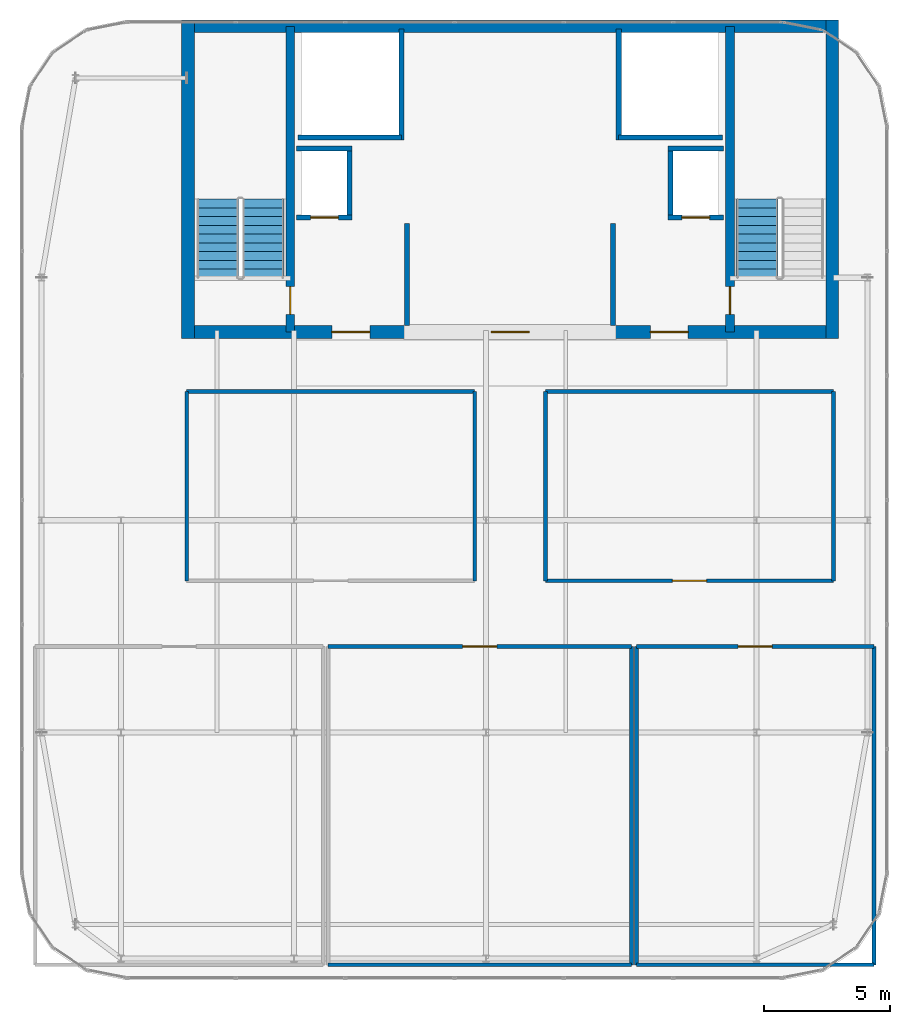
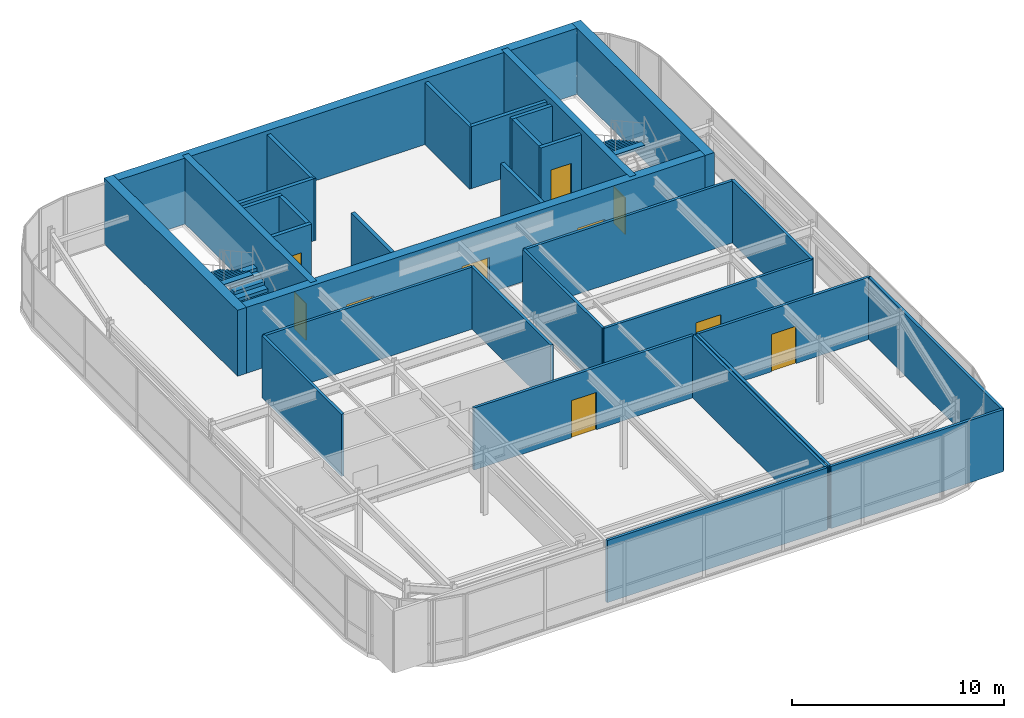
# One storey, part 34 of 36: 32 walls, 10 doors, 3 stair flights, 10 openings, 2 elements without a shape of their own.
"""IFC4 building model written with IfcOpenShell, lengths in metres."""

from ifc_helpers import new_model, si_unit, direction, frame, frame_2d, origin, place, context, subcontext, project, spatial, polyline, rectangle, outline, extrude, source, transform, mapped, material, layer, layer_set, type_object, type_shapes, element, fill, aggregate, save


model = new_model("IFC4")

# Units and contexts
model_context = context("Model", 3, precision=1e-05, world=origin(), true_north=direction((0.0, 1.0)))
body_context = subcontext(model_context, "Body", "Model", "MODEL_VIEW")
ifc_project = project(units=[si_unit("LENGTHUNIT", "METRE"), si_unit("AREAUNIT", "SQUARE_METRE"), si_unit("VOLUMEUNIT", "CUBIC_METRE"), si_unit("PLANEANGLEUNIT", "RADIAN"), si_unit("MASSUNIT", "GRAM", prefix="KILO")], contexts=[model_context])

# Site, building, storey
site_placement = place(None, origin())
site = spatial("IfcSite", under=ifc_project, at=site_placement, CompositionType="ELEMENT")
building_placement = place(site_placement, origin())
building = spatial("IfcBuilding", under=site, at=building_placement, Name="Tolvann Quenvar Hotel", CompositionType="ELEMENT")
storey_placement = place(building_placement, frame((0.0, 0.0, 302.35009765625)))
storey = spatial("IfcBuildingStorey", under=building, at=storey_placement, Name="L80", CompositionType="ELEMENT", Elevation=302.35009765625)

# Wall, openings, doors
ifc_material_1 = material(Name="Concrete N50 (50 MPa)", Category="concrete")
ifc_layer_1 = layer(ifc_material_1, 0.5)
ifc_layer_set_1 = layer_set([ifc_layer_1], Name="Concrete N50 (50 MPa)")
wall_type_1 = type_object("IfcWallType", Name="WALL_CORE_500", PredefinedType="SHEAR", material=ifc_layer_set_1)
wall_1_placement = place(storey_placement, frame((10.0, 31.85009765625, 0.0), z_axis=(0.0, 0.0, 1.0), x_axis=(1.0, 0.0, 0.0)))
wall_1 = element("IfcWall", 1, at=wall_1_placement, inside=storey, type_object=wall_type_1, Name="Rear Core S Shear Wall (L80)", PredefinedType="SHEAR", context=body_context, shape_type="SweptSolid", body=[
    extrude(rectangle(XDim=26.0, YDim=0.5, at=frame_2d((13.0, 0.0))), origin(), (0.0, 0.0, 1.0), 3.7998046875),
])
opening_1_placement = place(wall_1_placement, frame((7.449951171875, 0.0, 0.0), z_axis=(0.0, 0.0, 1.0), x_axis=(-1.0, 0.0, 0.0)))
opening_1 = element("IfcOpeningElement", 2, at=opening_1_placement, cuts=wall_1, Name="Opening FD-60D", PredefinedType="OPENING", context=body_context, shape_type="SweptSolid", body=[
    extrude(rectangle(XDim=1.5, YDim=2.0400390625, at=frame_2d((0.75, 1.02001953125))), frame((0.0, 0.260009765625, 0.0), z_axis=(0.0, -1.0, 0.0), x_axis=(1.0, 0.0, 0.0)), (0.0, 0.0, 1.0), 0.52001953125),
])
opening_2_placement = place(wall_1_placement, frame((13.75, 0.0, 0.0), z_axis=(0.0, 0.0, 1.0), x_axis=(-1.0, 0.0, 0.0)))
opening_2 = element("IfcOpeningElement", 3, at=opening_2_placement, cuts=wall_1, Name="Opening FD-60D", PredefinedType="OPENING", context=body_context, shape_type="SweptSolid", body=[
    extrude(rectangle(XDim=1.5, YDim=2.0400390625, at=frame_2d((0.75, 1.02001953125))), frame((0.0, 0.260009765625, 0.0), z_axis=(0.0, -1.0, 0.0), x_axis=(1.0, 0.0, 0.0)), (0.0, 0.0, 1.0), 0.52001953125),
])
opening_3_placement = place(wall_1_placement, frame((20.050048828125, 0.0, 0.0), z_axis=(0.0, 0.0, 1.0), x_axis=(-1.0, 0.0, 0.0)))
opening_3 = element("IfcOpeningElement", 4, at=opening_3_placement, cuts=wall_1, Name="Opening FD-60D", PredefinedType="OPENING", context=body_context, shape_type="SweptSolid", body=[
    extrude(rectangle(XDim=1.5, YDim=2.0400390625, at=frame_2d((0.75, 1.02001953125))), frame((0.0, 0.260009765625, 0.0), z_axis=(0.0, -1.0, 0.0), x_axis=(1.0, 0.0, 0.0)), (0.0, 0.0, 1.0), 0.52001953125),
])
ifc_material_2 = material(Name="Solid-core American oak acoustic fire door leaf in steel frame", Category="steel")
door_type_1 = type_object("IfcDoorType", Name="DOOR_FIRE_LOBBY_1500", OperationType="NOTDEFINED", PredefinedType="DOOR", material=ifc_material_2)
shared_shape_1 = source(origin(), body_context, "Body", "SweptSolid", [
    extrude(rectangle(XDim=1.5, YDim=2.0400390625, at=frame_2d((0.75, 1.02001953125))), frame((0.0, 0.02490234375, 0.0), z_axis=(0.0, -1.0, 0.0), x_axis=(1.0, 0.0, 0.0)), (0.0, 0.0, 1.0), 0.050048828125),
])
type_shapes(door_type_1, [shared_shape_1])
door_1_placement = place(opening_1_placement, origin())
door_1 = element("IfcDoor", 5, at=door_1_placement, inside=storey, type_object=door_type_1, Name="Core Lobby Fire Door FFW (L80)", OperationType="DOUBLE_DOOR_SINGLE_SWING", OverallHeight=2.0400390625, OverallWidth=1.5, PredefinedType="DOOR", context=body_context, shape_type="MappedRepresentation", body=[
    mapped(shared_shape_1, transform((0.0, 0.0, 0.0), x_axis=(1.0, 0.0, 0.0), y_axis=(0.0, 1.0, 0.0), z_axis=(0.0, 0.0, 1.0), scale=1.0)),
])
fill(opening_1, door_1)
door_2_placement = place(opening_2_placement, origin())
door_2 = element("IfcDoor", 6, at=door_2_placement, inside=storey, type_object=door_type_1, Name="Core Lobby Fire Door CLOB (L80)", OperationType="DOUBLE_DOOR_SINGLE_SWING", OverallHeight=2.0400390625, OverallWidth=1.5, PredefinedType="DOOR", context=body_context, shape_type="MappedRepresentation", body=[
    mapped(shared_shape_1, transform((0.0, 0.0, 0.0), x_axis=(1.0, 0.0, 0.0), y_axis=(0.0, 1.0, 0.0), z_axis=(0.0, 0.0, 1.0), scale=1.0)),
])
fill(opening_2, door_2)
door_3_placement = place(opening_3_placement, origin())
door_3 = element("IfcDoor", 7, at=door_3_placement, inside=storey, type_object=door_type_1, Name="Core Lobby Fire Door FFE (L80)", OperationType="DOUBLE_DOOR_SINGLE_SWING", OverallHeight=2.0400390625, OverallWidth=1.5, PredefinedType="DOOR", context=body_context, shape_type="MappedRepresentation", body=[
    mapped(shared_shape_1, transform((0.0, 0.0, 0.0), x_axis=(1.0, 0.0, 0.0), y_axis=(0.0, 1.0, 0.0), z_axis=(0.0, 0.0, 1.0), scale=1.0)),
])
fill(opening_3, door_3)

# Walls
wall_2_placement = place(storey_placement, frame((10.0, 43.949951171875, 0.0), z_axis=(0.0, 0.0, 1.0), x_axis=(1.0, 0.0, 0.0)))
element("IfcWall", 8, at=wall_2_placement, inside=storey, type_object=wall_type_1, Name="Rear Core N Shear Wall (L80)", PredefinedType="SHEAR", context=body_context, shape_type="SweptSolid", body=[
    extrude(rectangle(XDim=26.0, YDim=0.5, at=frame_2d((13.0, 0.0))), origin(), (0.0, 0.0, 1.0), 3.7998046875),
])
for number, where, z_axis, x_axis, name in (
    (9, (10.25, 31.60009765625, 0.0), (0.0, 0.0, 1.0), (0.0, 1.0, 0.0), "Rear Core W Shear Wall (L80)"),
    (10, (35.75, 31.60009765625, 0.0), (0.0, 0.0, 1.0), (0.0, 1.0, 0.0), "Rear Core E Shear Wall (L80)"),
):
    element("IfcWall", number, at=place(storey_placement, frame(where, z_axis=z_axis, x_axis=x_axis)), inside=storey, type_object=wall_type_1, Name=name, PredefinedType="SHEAR", context=body_context, shape_type="SweptSolid", body=[
        extrude(rectangle(XDim=12.599853515625, YDim=0.5, at=frame_2d((6.2998046875, 0.0))), origin(), (0.0, 0.0, 1.0), 3.7998046875),
    ])

# Wall, opening, door
ifc_material_3 = material(Name="Concrete S65 (65 MPa)", Category="concrete")
ifc_layer_2 = layer(ifc_material_3, 0.35009765625)
ifc_layer_set_2 = layer_set([ifc_layer_2], Name="Concrete S65 (65 MPa)")
wall_type_2 = type_object("IfcWallType", Name="WALL_CORE_INT_350", PredefinedType="SHEAR", material=ifc_layer_set_2)
wall_3_placement = place(storey_placement, frame((14.300048828125, 31.85009765625, 0.0), z_axis=(0.0, 0.0, 1.0), x_axis=(0.0, 1.0, 0.0)))
wall_3 = element("IfcWall", 11, at=wall_3_placement, inside=storey, type_object=wall_type_2, Name="Core Internal Web Shear Wall WEB-W (L80)", PredefinedType="SHEAR", context=body_context, shape_type="SweptSolid", body=[
    extrude(rectangle(XDim=12.099853515625, YDim=0.35009765625, at=frame_2d((6.0498046875, 0.0))), origin(), (0.0, 0.0, 1.0), 3.7998046875),
])
opening_4_placement = place(wall_3_placement, frame((0.699951171875, 0.0, 0.0)))
opening_4 = element("IfcOpeningElement", 12, at=opening_4_placement, cuts=wall_3, Name="Opening FD-120", PredefinedType="OPENING", context=body_context, shape_type="SweptSolid", body=[
    extrude(rectangle(XDim=1.10009765625, YDim=2.1201171875, at=frame_2d((0.550048828125, 1.06005859375))), frame((0.0, 0.18505859375, 0.0), z_axis=(0.0, -1.0, 0.0), x_axis=(1.0, 0.0, 0.0)), (0.0, 0.0, 1.0), 0.3701171875),
])
ifc_material_4 = material(Name="Pressed galvanised steel fire-rated door set", Category="steel")
door_type_2 = type_object("IfcDoorType", Name="DOOR_FIRE_STAIR_1100", OperationType="NOTDEFINED", PredefinedType="DOOR", material=ifc_material_4)
shared_shape_2 = source(origin(), body_context, "Body", "SweptSolid", [
    extrude(rectangle(XDim=1.10009765625, YDim=2.1201171875, at=frame_2d((0.550048828125, 1.06005859375))), frame((0.0, 0.02490234375, 0.0), z_axis=(0.0, -1.0, 0.0), x_axis=(1.0, 0.0, 0.0)), (0.0, 0.0, 1.0), 0.050048828125),
])
type_shapes(door_type_2, [shared_shape_2])
door_4_placement = place(opening_4_placement, origin())
door_4 = element("IfcDoor", 13, at=door_4_placement, inside=storey, type_object=door_type_2, Name="Exit Stair ST-C1 Fire Door (L80)", OperationType="SINGLE_SWING_LEFT", OverallHeight=2.1201171875, OverallWidth=1.10009765625, PredefinedType="DOOR", context=body_context, shape_type="MappedRepresentation", body=[
    mapped(shared_shape_2, transform((0.0, 0.0, 0.0), x_axis=(1.0, 0.0, 0.0), y_axis=(0.0, 1.0, 0.0), z_axis=(0.0, 0.0, 1.0), scale=1.0)),
])
fill(opening_4, door_4)

wall_4_placement = place(storey_placement, frame((31.699951171875, 31.85009765625, 0.0), z_axis=(0.0, 0.0, 1.0), x_axis=(0.0, 1.0, 0.0)))
wall_4 = element("IfcWall", 14, at=wall_4_placement, inside=storey, type_object=wall_type_2, Name="Core Internal Web Shear Wall WEB-E (L80)", PredefinedType="SHEAR", context=body_context, shape_type="SweptSolid", body=[
    extrude(rectangle(XDim=12.099853515625, YDim=0.35009765625, at=frame_2d((6.0498046875, 0.0))), origin(), (0.0, 0.0, 1.0), 3.7998046875),
])
opening_5_placement = place(wall_4_placement, frame((1.800048828125, 0.0, 0.0), z_axis=(0.0, 0.0, 1.0), x_axis=(-1.0, 0.0, 0.0)))
opening_5 = element("IfcOpeningElement", 15, at=opening_5_placement, cuts=wall_4, Name="Opening FD-120", PredefinedType="OPENING", context=body_context, shape_type="SweptSolid", body=[
    extrude(rectangle(XDim=1.10009765625, YDim=2.1201171875, at=frame_2d((0.550048828125, 1.06005859375))), frame((0.0, 0.18505859375, 0.0), z_axis=(0.0, -1.0, 0.0), x_axis=(1.0, 0.0, 0.0)), (0.0, 0.0, 1.0), 0.3701171875),
])
door_5_placement = place(opening_5_placement, origin())
door_5 = element("IfcDoor", 16, at=door_5_placement, inside=storey, type_object=door_type_2, Name="Exit Stair ST-C2 Fire Door (L80)", OperationType="SINGLE_SWING_RIGHT", OverallHeight=2.1201171875, OverallWidth=1.10009765625, PredefinedType="DOOR", context=body_context, shape_type="MappedRepresentation", body=[
    mapped(shared_shape_2, transform((0.0, 0.0, 0.0), x_axis=(1.0, 0.0, 0.0), y_axis=(0.0, 1.0, 0.0), z_axis=(0.0, 0.0, 1.0), scale=1.0)),
])
fill(opening_5, door_5)

# Wall
ifc_material_5 = material(Name="Acoustic twin-stud fire-rated gypsum plasterboard partition")
ifc_layer_3 = layer(ifc_material_5, 0.14990234375)
ifc_layer_set_3 = layer_set([ifc_layer_3], Name="Acoustic twin-stud fire-rated gypsum plasterboard partition")
wall_type_3 = type_object("IfcWallType", Name="WALL_PART_SUITE_150", PredefinedType="PARTITIONING", material=ifc_layer_set_3)
wall_5_placement = place(storey_placement, frame((15.800048828125, 6.800048828125, 0.0), z_axis=(0.0, 0.0, 1.0), x_axis=(1.0, 0.0, 0.0)))
element("IfcWall", 17, at=wall_5_placement, inside=storey, type_object=wall_type_3, Name="Interior Partition PT-SPC-L80-HRC-S", PredefinedType="PARTITIONING", context=body_context, shape_type="SweptSolid", body=[
    extrude(rectangle(XDim=12.0, YDim=0.14990234375, at=frame_2d((6.0, 0.0))), origin(), (0.0, 0.0, 1.0), 3.579833984375),
])

# Wall, opening, door
wall_6_placement = place(storey_placement, frame((15.800048828125, 19.39990234375, 0.0), z_axis=(0.0, 0.0, 1.0), x_axis=(1.0, 0.0, 0.0)))
wall_6 = element("IfcWall", 18, at=wall_6_placement, inside=storey, type_object=wall_type_3, Name="Interior Partition PT-SPC-L80-HRC-N", PredefinedType="PARTITIONING", context=body_context, shape_type="SweptSolid", body=[
    extrude(rectangle(XDim=12.0, YDim=0.14990234375, at=frame_2d((6.0, 0.0))), origin(), (0.0, 0.0, 1.0), 3.579833984375),
])
opening_6_placement = place(wall_6_placement, frame((5.324951171875, 0.0, 0.0)))
opening_6 = element("IfcOpeningElement", 19, at=opening_6_placement, cuts=wall_6, Name="Opening PD-01", PredefinedType="OPENING", context=body_context, shape_type="SweptSolid", body=[
    extrude(rectangle(XDim=1.35009765625, YDim=2.14990234375, at=frame_2d((0.675048828125, 1.074951171875))), frame((0.0, 0.0849609375, 0.0), z_axis=(0.0, -1.0, 0.0), x_axis=(1.0, 0.0, 0.0)), (0.0, 0.0, 1.0), 0.169921875),
])
door_type_3 = type_object("IfcDoorType", Name="DOOR_PLANT_1350", OperationType="NOTDEFINED", PredefinedType="DOOR", material=ifc_material_4)
shared_shape_3 = source(origin(), body_context, "Body", "SweptSolid", [
    extrude(rectangle(XDim=1.35009765625, YDim=2.14990234375, at=frame_2d((0.675048828125, 1.074951171875))), frame((0.0, 0.02490234375, 0.0), z_axis=(0.0, -1.0, 0.0), x_axis=(1.0, 0.0, 0.0)), (0.0, 0.0, 1.0), 0.050048828125),
])
type_shapes(door_type_3, [shared_shape_3])
door_6_placement = place(opening_6_placement, origin())
door_6 = element("IfcDoor", 20, at=door_6_placement, inside=storey, type_object=door_type_3, Name="Interior Door DOOR-SPC-L80-HRC", OperationType="DOUBLE_DOOR_SINGLE_SWING", OverallHeight=2.14990234375, OverallWidth=1.35009765625, PredefinedType="DOOR", context=body_context, shape_type="MappedRepresentation", body=[
    mapped(shared_shape_3, transform((0.0, 0.0, 0.0), x_axis=(1.0, 0.0, 0.0), y_axis=(0.0, 1.0, 0.0), z_axis=(0.0, 0.0, 1.0), scale=1.0)),
])
fill(opening_6, door_6)

# Walls
wall_7_placement = place(storey_placement, frame((27.800048828125, 6.800048828125, 0.0), z_axis=(0.0, 0.0, 1.0), x_axis=(0.0, 1.0, 0.0)))
element("IfcWall", 21, at=wall_7_placement, inside=storey, type_object=wall_type_3, Name="Interior Partition PT-SPC-L80-HRC-E", PredefinedType="PARTITIONING", context=body_context, shape_type="SweptSolid", body=[
    extrude(rectangle(XDim=12.599853515625, YDim=0.14990234375, at=frame_2d((6.2998046875, 0.0))), origin(), (0.0, 0.0, 1.0), 3.579833984375),
])
wall_8_placement = place(storey_placement, frame((28.0, 6.800048828125, 0.0), z_axis=(0.0, 0.0, 1.0), x_axis=(1.0, 0.0, 0.0)))
element("IfcWall", 22, at=wall_8_placement, inside=storey, type_object=wall_type_3, Name="Interior Partition PT-SPC-L80-PMP-S", PredefinedType="PARTITIONING", context=body_context, shape_type="SweptSolid", body=[
    extrude(rectangle(XDim=9.39990234375, YDim=0.14990234375, at=frame_2d((4.699951171875, 0.0))), origin(), (0.0, 0.0, 1.0), 3.579833984375),
])

# Wall, opening, door
wall_9_placement = place(storey_placement, frame((28.0, 19.39990234375, 0.0), z_axis=(0.0, 0.0, 1.0), x_axis=(1.0, 0.0, 0.0)))
wall_9 = element("IfcWall", 23, at=wall_9_placement, inside=storey, type_object=wall_type_3, Name="Interior Partition PT-SPC-L80-PMP-N", PredefinedType="PARTITIONING", context=body_context, shape_type="SweptSolid", body=[
    extrude(rectangle(XDim=9.39990234375, YDim=0.14990234375, at=frame_2d((4.699951171875, 0.0))), origin(), (0.0, 0.0, 1.0), 3.579833984375),
])
opening_7_placement = place(wall_9_placement, frame((4.02490234375, 0.0, 0.0)))
opening_7 = element("IfcOpeningElement", 24, at=opening_7_placement, cuts=wall_9, Name="Opening PD-01", PredefinedType="OPENING", context=body_context, shape_type="SweptSolid", body=[
    extrude(rectangle(XDim=1.35009765625, YDim=2.14990234375, at=frame_2d((0.675048828125, 1.074951171875))), frame((0.0, 0.0849609375, 0.0), z_axis=(0.0, -1.0, 0.0), x_axis=(1.0, 0.0, 0.0)), (0.0, 0.0, 1.0), 0.169921875),
])
door_7_placement = place(opening_7_placement, origin())
door_7 = element("IfcDoor", 25, at=door_7_placement, inside=storey, type_object=door_type_3, Name="Interior Door DOOR-SPC-L80-PMP", OperationType="DOUBLE_DOOR_SINGLE_SWING", OverallHeight=2.14990234375, OverallWidth=1.35009765625, PredefinedType="DOOR", context=body_context, shape_type="MappedRepresentation", body=[
    mapped(shared_shape_3, transform((0.0, 0.0, 0.0), x_axis=(1.0, 0.0, 0.0), y_axis=(0.0, 1.0, 0.0), z_axis=(0.0, 0.0, 1.0), scale=1.0)),
])
fill(opening_7, door_7)

# Walls
for number, where, z_axis, x_axis, name in (
    (26, (28.0, 6.800048828125, 0.0), (0.0, 0.0, 1.0), (0.0, 1.0, 0.0), "Interior Partition PT-SPC-L80-PMP-W"),
    (27, (37.39990234375, 6.800048828125, 0.0), (0.0, 0.0, 1.0), (0.0, 1.0, 0.0), "Interior Partition PT-SPC-L80-PMP-E"),
):
    element("IfcWall", number, at=place(storey_placement, frame(where, z_axis=z_axis, x_axis=x_axis)), inside=storey, type_object=wall_type_3, Name=name, PredefinedType="PARTITIONING", context=body_context, shape_type="SweptSolid", body=[
        extrude(rectangle(XDim=12.599853515625, YDim=0.14990234375, at=frame_2d((6.2998046875, 0.0))), origin(), (0.0, 0.0, 1.0), 3.579833984375),
    ])
wall_10_placement = place(storey_placement, frame((10.199951171875, 29.5, 0.0), z_axis=(0.0, 0.0, 1.0), x_axis=(1.0, 0.0, 0.0)))
element("IfcWall", 28, at=wall_10_placement, inside=storey, type_object=wall_type_3, Name="Interior Partition PT-SPC-L80-MNT-N", PredefinedType="PARTITIONING", context=body_context, shape_type="SweptSolid", body=[
    extrude(rectangle(XDim=11.400146484375, YDim=0.14990234375, at=frame_2d((5.7001953125, 0.0))), origin(), (0.0, 0.0, 1.0), 3.579833984375),
])
for number, where, z_axis, x_axis, name in (
    (29, (10.199951171875, 22.0, 0.0), (0.0, 0.0, 1.0), (0.0, 1.0, 0.0), "Interior Partition PT-SPC-L80-MNT-W"),
    (30, (21.60009765625, 22.0, 0.0), (0.0, 0.0, 1.0), (0.0, 1.0, 0.0), "Interior Partition PT-SPC-L80-MNT-E"),
):
    element("IfcWall", number, at=place(storey_placement, frame(where, z_axis=z_axis, x_axis=x_axis)), inside=storey, type_object=wall_type_3, Name=name, PredefinedType="PARTITIONING", context=body_context, shape_type="SweptSolid", body=[
        extrude(rectangle(XDim=7.5, YDim=0.14990234375, at=frame_2d((3.75, 0.0))), origin(), (0.0, 0.0, 1.0), 3.579833984375),
    ])

# Wall, opening, door
wall_11_placement = place(storey_placement, frame((24.39990234375, 22.0, 0.0), z_axis=(0.0, 0.0, 1.0), x_axis=(1.0, 0.0, 0.0)))
wall_11 = element("IfcWall", 31, at=wall_11_placement, inside=storey, type_object=wall_type_3, Name="Interior Partition PT-SPC-L80-SOL-S", PredefinedType="PARTITIONING", context=body_context, shape_type="SweptSolid", body=[
    extrude(rectangle(XDim=11.400146484375, YDim=0.14990234375, at=frame_2d((5.7001953125, 0.0))), origin(), (0.0, 0.0, 1.0), 3.579833984375),
])
opening_8_placement = place(wall_11_placement, frame((5.02490234375, 0.0, 0.0)))
opening_8 = element("IfcOpeningElement", 32, at=opening_8_placement, cuts=wall_11, Name="Opening PD-01", PredefinedType="OPENING", context=body_context, shape_type="SweptSolid", body=[
    extrude(rectangle(XDim=1.35009765625, YDim=2.14990234375, at=frame_2d((0.675048828125, 1.074951171875))), frame((0.0, 0.0849609375, 0.0), z_axis=(0.0, -1.0, 0.0), x_axis=(1.0, 0.0, 0.0)), (0.0, 0.0, 1.0), 0.169921875),
])
door_8_placement = place(opening_8_placement, origin())
door_8 = element("IfcDoor", 33, at=door_8_placement, inside=storey, type_object=door_type_3, Name="Interior Door DOOR-SPC-L80-SOL", OperationType="DOUBLE_DOOR_SINGLE_SWING", OverallHeight=2.14990234375, OverallWidth=1.35009765625, PredefinedType="DOOR", context=body_context, shape_type="MappedRepresentation", body=[
    mapped(shared_shape_3, transform((0.0, 0.0, 0.0), x_axis=(1.0, 0.0, 0.0), y_axis=(0.0, 1.0, 0.0), z_axis=(0.0, 0.0, 1.0), scale=1.0)),
])
fill(opening_8, door_8)

# Walls
wall_12_placement = place(storey_placement, frame((24.39990234375, 29.5, 0.0), z_axis=(0.0, 0.0, 1.0), x_axis=(1.0, 0.0, 0.0)))
element("IfcWall", 34, at=wall_12_placement, inside=storey, type_object=wall_type_3, Name="Interior Partition PT-SPC-L80-SOL-N", PredefinedType="PARTITIONING", context=body_context, shape_type="SweptSolid", body=[
    extrude(rectangle(XDim=11.400146484375, YDim=0.14990234375, at=frame_2d((5.7001953125, 0.0))), origin(), (0.0, 0.0, 1.0), 3.579833984375),
])
for number, where, z_axis, x_axis, name in (
    (35, (24.39990234375, 22.0, 0.0), (0.0, 0.0, 1.0), (0.0, 1.0, 0.0), "Interior Partition PT-SPC-L80-SOL-W"),
    (36, (35.800048828125, 22.0, 0.0), (0.0, 0.0, 1.0), (0.0, 1.0, 0.0), "Interior Partition PT-SPC-L80-SOL-E"),
):
    element("IfcWall", number, at=place(storey_placement, frame(where, z_axis=z_axis, x_axis=x_axis)), inside=storey, type_object=wall_type_3, Name=name, PredefinedType="PARTITIONING", context=body_context, shape_type="SweptSolid", body=[
        extrude(rectangle(XDim=7.5, YDim=0.14990234375, at=frame_2d((3.75, 0.0))), origin(), (0.0, 0.0, 1.0), 3.579833984375),
    ])
ifc_material_6 = material(Name="Concrete N40 (40 MPa)", Category="concrete")
ifc_layer_4 = layer(ifc_material_6, 0.199951171875)
ifc_layer_set_4 = layer_set([ifc_layer_4], Name="Concrete N40 (40 MPa)")
wall_type_4 = type_object("IfcWallType", Name="WALL_SHAFT_200", PredefinedType="SOLIDWALL", material=ifc_layer_set_4)
wall_13_placement = place(storey_placement, frame((18.699951171875, 39.449951171875, 0.0), z_axis=(0.0, 0.0, 1.0), x_axis=(0.0, 1.0, 0.0)))
element("IfcWall", 37, at=wall_13_placement, inside=storey, type_object=wall_type_4, Name="Service Riser W Shaft Wall IN (L80)", PredefinedType="SOLIDWALL", context=body_context, shape_type="SweptSolid", body=[
    extrude(rectangle(XDim=4.400146484375, YDim=0.199951171875, at=frame_2d((2.2001953125, 0.0))), origin(), (0.0, 0.0, 1.0), 3.579833984375),
])
wall_14_placement = place(storey_placement, frame((14.60009765625, 39.550048828125, 0.0), z_axis=(0.0, 0.0, 1.0), x_axis=(1.0, 0.0, 0.0)))
element("IfcWall", 38, at=wall_14_placement, inside=storey, type_object=wall_type_4, Name="Service Riser W Shaft Wall S (L80)", PredefinedType="SOLIDWALL", context=body_context, shape_type="SweptSolid", body=[
    extrude(rectangle(XDim=4.099853515625, YDim=0.199951171875, at=frame_2d((2.0498046875, 0.0))), origin(), (0.0, 0.0, 1.0), 3.579833984375),
])
wall_15_placement = place(storey_placement, frame((27.300048828125, 39.449951171875, 0.0), z_axis=(0.0, 0.0, 1.0), x_axis=(0.0, 1.0, 0.0)))
element("IfcWall", 39, at=wall_15_placement, inside=storey, type_object=wall_type_4, Name="Service Riser E Shaft Wall IN (L80)", PredefinedType="SOLIDWALL", context=body_context, shape_type="SweptSolid", body=[
    extrude(rectangle(XDim=4.400146484375, YDim=0.199951171875, at=frame_2d((2.2001953125, 0.0))), origin(), (0.0, 0.0, 1.0), 3.579833984375),
])
wall_16_placement = place(storey_placement, frame((27.300048828125, 39.550048828125, 0.0), z_axis=(0.0, 0.0, 1.0), x_axis=(1.0, 0.0, 0.0)))
element("IfcWall", 40, at=wall_16_placement, inside=storey, type_object=wall_type_4, Name="Service Riser E Shaft Wall S (L80)", PredefinedType="SOLIDWALL", context=body_context, shape_type="SweptSolid", body=[
    extrude(rectangle(XDim=4.099853515625, YDim=0.199951171875, at=frame_2d((2.0498046875, 0.0))), origin(), (0.0, 0.0, 1.0), 3.579833984375),
])
for number, where, z_axis, x_axis, name in (
    (41, (18.919921875, 32.10400390625, 0.0), (0.0, 0.0, 1.0), (0.0, 1.0, 0.0), "Firefighting Lobby W Inner Fire Wall (L80)"),
    (42, (27.080078125, 32.10400390625, 0.0), (0.0, 0.0, 1.0), (0.0, 1.0, 0.0), "Firefighting Lobby E Inner Fire Wall (L80)"),
):
    element("IfcWall", number, at=place(storey_placement, frame(where, z_axis=z_axis, x_axis=x_axis)), inside=storey, type_object=wall_type_4, Name=name, PredefinedType="SOLIDWALL", context=body_context, shape_type="SweptSolid", body=[
        extrude(rectangle(XDim=4.0458984375, YDim=0.199951171875, at=frame_2d((2.02294921875, 0.0))), origin(), (0.0, 0.0, 1.0), 3.579833984375),
    ])

# Wall, opening, door
wall_17_placement = place(storey_placement, frame((29.25, 36.3798828125, 0.0), z_axis=(0.0, 0.0, 1.0), x_axis=(1.0, 0.0, 0.0)))
wall_17 = element("IfcWall", 43, at=wall_17_placement, inside=storey, type_object=wall_type_4, Name="Lift Bank SEC1 Hoistway Front Wall (L80)", PredefinedType="SOLIDWALL", context=body_context, shape_type="SweptSolid", body=[
    extrude(rectangle(XDim=2.199951171875, YDim=0.199951171875, at=frame_2d((1.10009765625, 0.0))), origin(), (0.0, 0.0, 1.0), 3.579833984375),
])
opening_9_placement = place(wall_17_placement, frame((0.550048828125, 0.0, 0.0)))
opening_9 = element("IfcOpeningElement", 44, at=opening_9_placement, cuts=wall_17, Name="Opening LD-01", PredefinedType="OPENING", context=body_context, shape_type="SweptSolid", body=[
    extrude(rectangle(XDim=1.10009765625, YDim=2.1201171875, at=frame_2d((0.550048828125, 1.06005859375))), frame((0.0, 0.10986328125, 0.0), z_axis=(0.0, -1.0, 0.0), x_axis=(1.0, 0.0, 0.0)), (0.0, 0.0, 1.0), 0.219970703125),
])
ifc_material_7 = material(Name="Brushed 316 stainless steel automatic sliding lift landing door", Category="steel")
door_type_4 = type_object("IfcDoorType", Name="DOOR_LIFT_SLIDE_1100", OperationType="NOTDEFINED", PredefinedType="DOOR", material=ifc_material_7)
shared_shape_4 = source(origin(), body_context, "Body", "SweptSolid", [
    extrude(rectangle(XDim=1.10009765625, YDim=2.1201171875, at=frame_2d((0.550048828125, 1.06005859375))), frame((0.0, 0.02490234375, 0.0), z_axis=(0.0, -1.0, 0.0), x_axis=(1.0, 0.0, 0.0)), (0.0, 0.0, 1.0), 0.050048828125),
])
type_shapes(door_type_4, [shared_shape_4])
door_9_placement = place(opening_9_placement, origin())
door_9 = element("IfcDoor", 45, at=door_9_placement, inside=storey, type_object=door_type_4, Name="Lift FF-2 Sliding Landing Door (L80)", OperationType="SLIDING_TO_RIGHT", OverallHeight=2.1201171875, OverallWidth=1.10009765625, PredefinedType="DOOR", context=body_context, shape_type="MappedRepresentation", body=[
    mapped(shared_shape_4, transform((0.0, 0.0, 0.0), x_axis=(1.0, 0.0, 0.0), y_axis=(0.0, 1.0, 0.0), z_axis=(0.0, 0.0, 1.0), scale=1.0)),
])
fill(opening_9, door_9)

# Walls
wall_18_placement = place(storey_placement, frame((29.25, 39.1201171875, 0.0), z_axis=(0.0, 0.0, 1.0), x_axis=(1.0, 0.0, 0.0)))
element("IfcWall", 46, at=wall_18_placement, inside=storey, type_object=wall_type_4, Name="Lift Bank SEC1 Hoistway Rear Wall (L80)", PredefinedType="SOLIDWALL", context=body_context, shape_type="SweptSolid", body=[
    extrude(rectangle(XDim=2.199951171875, YDim=0.199951171875, at=frame_2d((1.10009765625, 0.0))), origin(), (0.0, 0.0, 1.0), 3.579833984375),
])
wall_19_placement = place(storey_placement, frame((29.35009765625, 36.47998046875, 0.0), z_axis=(0.0, 0.0, 1.0), x_axis=(0.0, 1.0, 0.0)))
element("IfcWall", 47, at=wall_19_placement, inside=storey, type_object=wall_type_4, Name="Lift Bank SEC1 Hoistway Cheek Wall 1 (L80)", PredefinedType="SOLIDWALL", context=body_context, shape_type="SweptSolid", body=[
    extrude(rectangle(XDim=2.5400390625, YDim=0.199951171875, at=frame_2d((1.27001953125, 0.0))), origin(), (0.0, 0.0, 1.0), 3.579833984375),
])

# Wall, opening, door
wall_20_placement = place(storey_placement, frame((14.550048828125, 36.3798828125, 0.0), z_axis=(0.0, 0.0, 1.0), x_axis=(1.0, 0.0, 0.0)))
wall_20 = element("IfcWall", 48, at=wall_20_placement, inside=storey, type_object=wall_type_4, Name="Lift Bank SWC1 Hoistway Front Wall (L80)", PredefinedType="SOLIDWALL", context=body_context, shape_type="SweptSolid", body=[
    extrude(rectangle(XDim=2.199951171875, YDim=0.199951171875, at=frame_2d((1.10009765625, 0.0))), origin(), (0.0, 0.0, 1.0), 3.579833984375),
])
opening_10_placement = place(wall_20_placement, frame((0.550048828125, 0.0, 0.0)))
opening_10 = element("IfcOpeningElement", 49, at=opening_10_placement, cuts=wall_20, Name="Opening LD-01", PredefinedType="OPENING", context=body_context, shape_type="SweptSolid", body=[
    extrude(rectangle(XDim=1.10009765625, YDim=2.1201171875, at=frame_2d((0.550048828125, 1.06005859375))), frame((0.0, 0.10986328125, 0.0), z_axis=(0.0, -1.0, 0.0), x_axis=(1.0, 0.0, 0.0)), (0.0, 0.0, 1.0), 0.219970703125),
])
door_10_placement = place(opening_10_placement, origin())
door_10 = element("IfcDoor", 50, at=door_10_placement, inside=storey, type_object=door_type_4, Name="Lift FF-1 Sliding Landing Door (L80)", OperationType="SLIDING_TO_LEFT", OverallHeight=2.1201171875, OverallWidth=1.10009765625, PredefinedType="DOOR", context=body_context, shape_type="MappedRepresentation", body=[
    mapped(shared_shape_4, transform((0.0, 0.0, 0.0), x_axis=(1.0, 0.0, 0.0), y_axis=(0.0, 1.0, 0.0), z_axis=(0.0, 0.0, 1.0), scale=1.0)),
])
fill(opening_10, door_10)

# Walls
wall_21_placement = place(storey_placement, frame((14.550048828125, 39.1201171875, 0.0), z_axis=(0.0, 0.0, 1.0), x_axis=(1.0, 0.0, 0.0)))
element("IfcWall", 51, at=wall_21_placement, inside=storey, type_object=wall_type_4, Name="Lift Bank SWC1 Hoistway Rear Wall (L80)", PredefinedType="SOLIDWALL", context=body_context, shape_type="SweptSolid", body=[
    extrude(rectangle(XDim=2.199951171875, YDim=0.199951171875, at=frame_2d((1.10009765625, 0.0))), origin(), (0.0, 0.0, 1.0), 3.579833984375),
])
wall_22_placement = place(storey_placement, frame((16.64990234375, 36.47998046875, 0.0), z_axis=(0.0, 0.0, 1.0), x_axis=(0.0, 1.0, 0.0)))
element("IfcWall", 52, at=wall_22_placement, inside=storey, type_object=wall_type_4, Name="Lift Bank SWC1 Hoistway Cheek Wall 2 (L80)", PredefinedType="SOLIDWALL", context=body_context, shape_type="SweptSolid", body=[
    extrude(rectangle(XDim=2.5400390625, YDim=0.199951171875, at=frame_2d((1.27001953125, 0.0))), origin(), (0.0, 0.0, 1.0), 3.579833984375),
])

# Stair, stair flights
stair_type = type_object("IfcStairType", Name="STAIR", PredefinedType="HALF_TURN_STAIR", material=ifc_material_6)
stair_1_placement = place(storey_placement, origin())
stair_1 = element("IfcStair", 53, at=stair_1_placement, inside=storey, type_object=stair_type, Name="L80 ST-C1", PredefinedType="HALF_TURN_STAIR")
stair_flight_type = type_object("IfcStairFlightType", Name="STAIR_FLIGHT", PredefinedType="STRAIGHT", material=ifc_material_6)
stair_flight_1_placement = place(storey_placement, frame((13.22509765625, 34.0, 0.0), z_axis=(0.0, 0.0, 1.0), x_axis=(0.0, 1.0, 0.0)))
stair_flight_1 = element("IfcStairFlight", 54, at=stair_flight_1_placement, type_object=stair_flight_type, Name="ST-C1 flight 1", NumberOfRisers=10, NumberOfTreads=9, PredefinedType="STRAIGHT", RiserHeight=0.19, TreadLength=0.345, context=body_context, shape_type="SweptSolid", body=[
    extrude(outline(polyline([(0.0, 0.0), (0.0, 0.18994140625), (0.344970703125, 0.18994140625), (0.344970703125, 0.3798828125), (0.68994140625, 0.3798828125), (0.68994140625, 0.570068359375), (1.034912109375, 0.570068359375), (1.034912109375, 0.760009765625), (1.3798828125, 0.760009765625), (1.3798828125, 0.949951171875), (1.72509765625, 0.949951171875), (1.72509765625, 1.139892578125), (2.070068359375, 1.139892578125), (2.070068359375, 1.330078125), (2.4150390625, 1.330078125), (2.4150390625, 1.52001953125), (2.760009765625, 1.52001953125), (2.760009765625, 1.7099609375), (3.10498046875, 1.7099609375), (3.10498046875, 1.89990234375), (3.10498046875, 1.538818359375), (0.310791015625, 0.0), (0.0, 0.0)])), frame((0.0, 0.824951171875, 0.0), z_axis=(0.0, -1.0, 0.0), x_axis=(1.0, 0.0, 0.0)), (0.0, 0.0, 1.0), 1.64990234375),
])
stair_flight_2_placement = place(storey_placement, frame((11.425048828125, 37.10498046875, 1.89990234375), z_axis=(0.0, 0.0, 1.0), x_axis=(0.0, -1.0, 0.0)))
stair_flight_2 = element("IfcStairFlight", 55, at=stair_flight_2_placement, type_object=stair_flight_type, Name="ST-C1 flight 2", NumberOfRisers=10, NumberOfTreads=9, PredefinedType="STRAIGHT", RiserHeight=0.19, TreadLength=0.345, context=body_context, shape_type="SweptSolid", body=[
    extrude(outline(polyline([(0.0, 0.0), (0.0, 0.18994140625), (0.344970703125, 0.18994140625), (0.344970703125, 0.3798828125), (0.68994140625, 0.3798828125), (0.68994140625, 0.570068359375), (1.034912109375, 0.570068359375), (1.034912109375, 0.760009765625), (1.3798828125, 0.760009765625), (1.3798828125, 0.949951171875), (1.72509765625, 0.949951171875), (1.72509765625, 1.139892578125), (2.070068359375, 1.139892578125), (2.070068359375, 1.330078125), (2.4150390625, 1.330078125), (2.4150390625, 1.52001953125), (2.760009765625, 1.52001953125), (2.760009765625, 1.7099609375), (3.10498046875, 1.7099609375), (3.10498046875, 1.89990234375), (3.10498046875, 1.538818359375), (0.310791015625, 0.0), (0.0, 0.0)])), frame((0.0, 0.824951171875, 0.0), z_axis=(0.0, -1.0, 0.0), x_axis=(1.0, 0.0, 0.0)), (0.0, 0.0, 1.0), 1.64990234375),
])
aggregate(stair_1, [stair_flight_1, stair_flight_2])

# Stair, stair flight
stair_2_placement = place(storey_placement, origin())
stair_2 = element("IfcStair", 56, at=stair_2_placement, inside=storey, type_object=stair_type, Name="L80 ST-C2", PredefinedType="HALF_TURN_STAIR")
stair_flight_3_placement = place(storey_placement, frame((32.77490234375, 37.10498046875, 1.89990234375), z_axis=(0.0, 0.0, 1.0), x_axis=(0.0, -1.0, 0.0)))
stair_flight_3 = element("IfcStairFlight", 57, at=stair_flight_3_placement, type_object=stair_flight_type, Name="ST-C2 flight 2", NumberOfRisers=10, NumberOfTreads=9, PredefinedType="STRAIGHT", RiserHeight=0.19, TreadLength=0.345, context=body_context, shape_type="SweptSolid", body=[
    extrude(outline(polyline([(0.0, 0.0), (0.0, 0.18994140625), (0.344970703125, 0.18994140625), (0.344970703125, 0.3798828125), (0.68994140625, 0.3798828125), (0.68994140625, 0.570068359375), (1.034912109375, 0.570068359375), (1.034912109375, 0.760009765625), (1.3798828125, 0.760009765625), (1.3798828125, 0.949951171875), (1.72509765625, 0.949951171875), (1.72509765625, 1.139892578125), (2.070068359375, 1.139892578125), (2.070068359375, 1.330078125), (2.4150390625, 1.330078125), (2.4150390625, 1.52001953125), (2.760009765625, 1.52001953125), (2.760009765625, 1.7099609375), (3.10498046875, 1.7099609375), (3.10498046875, 1.89990234375), (3.10498046875, 1.538818359375), (0.310791015625, 0.0), (0.0, 0.0)])), frame((0.0, 0.824951171875, 0.0), z_axis=(0.0, -1.0, 0.0), x_axis=(1.0, 0.0, 0.0)), (0.0, 0.0, 1.0), 1.64990234375),
])
aggregate(stair_2, [stair_flight_3])

save(model, "model.ifc")
